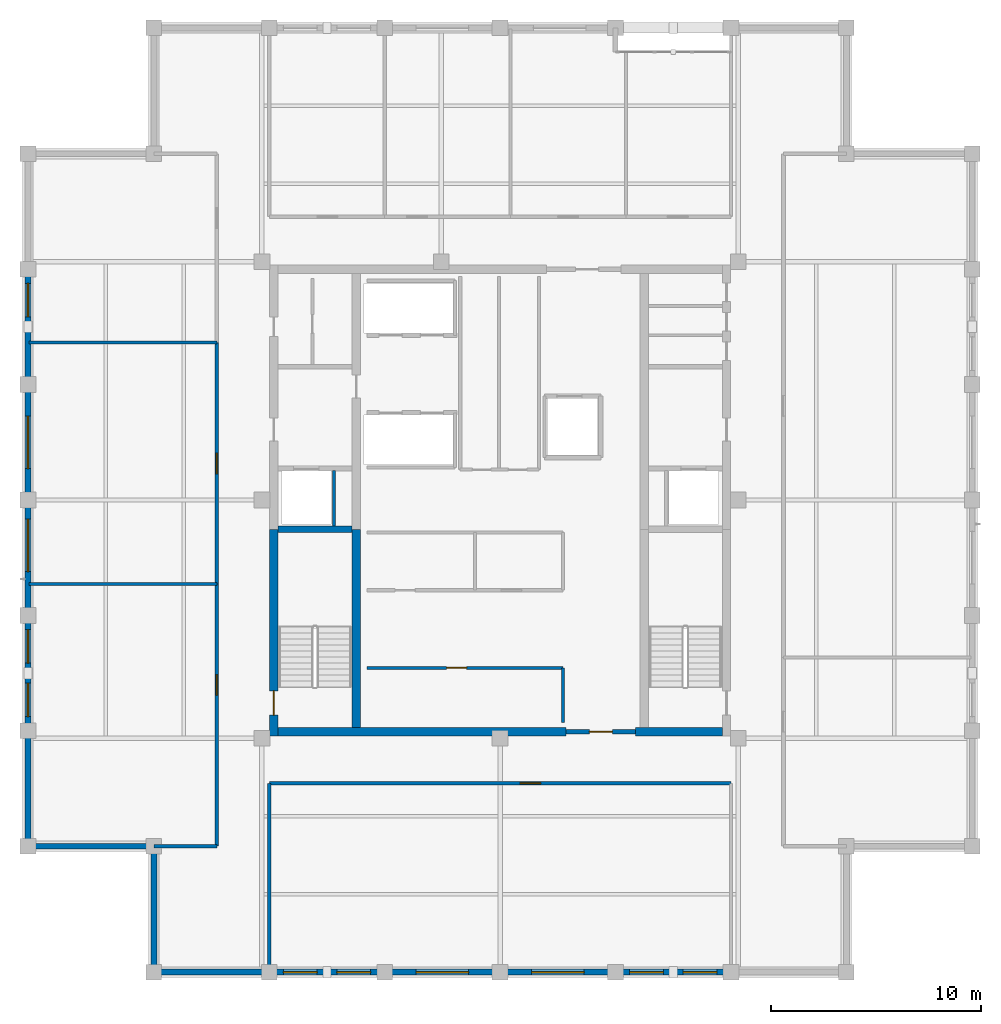
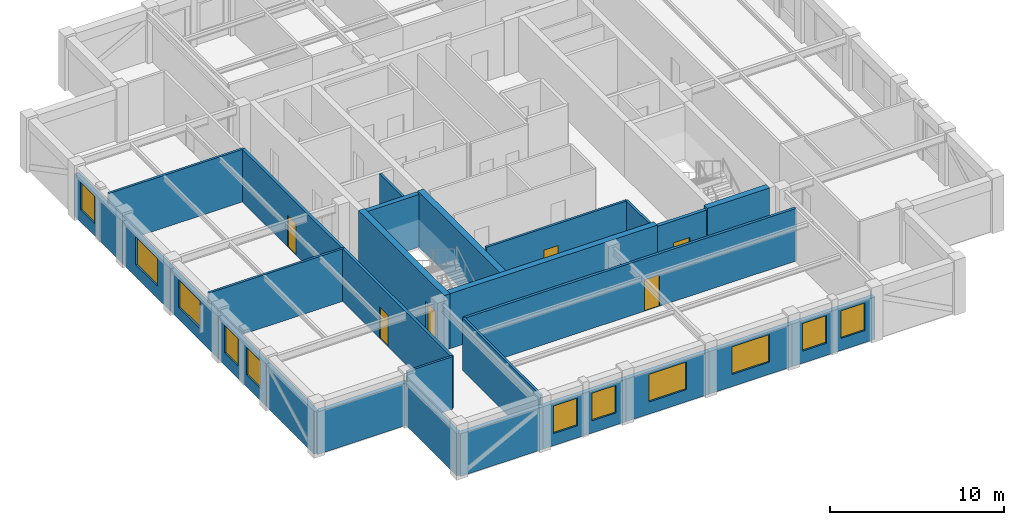
# One storey, part 6 of 10: 28 walls, 11 windows, 6 doors, 17 openings.
"""IFC4 building model written with IfcOpenShell, lengths in metres."""

from ifc_helpers import new_model, si_unit, direction, frame, frame_2d, origin, place, context, subcontext, project, spatial, rectangle, extrude, material, layer, layer_set, type_object, element, fill, save


model = new_model("IFC4")

# Units and contexts
model_context = context("Model", 3, precision=1e-05, world=origin(), true_north=direction((0.0, 1.0)))
body_context = subcontext(model_context, "Body", "Model", "MODEL_VIEW")
ifc_project = project(units=[si_unit("LENGTHUNIT", "METRE"), si_unit("AREAUNIT", "SQUARE_METRE"), si_unit("VOLUMEUNIT", "CUBIC_METRE"), si_unit("PLANEANGLEUNIT", "RADIAN"), si_unit("MASSUNIT", "GRAM", prefix="KILO")], contexts=[model_context])

# Site, building, storey
site_placement = place(None, origin())
site = spatial("IfcSite", under=ifc_project, at=site_placement, CompositionType="ELEMENT")
building_placement = place(site_placement, origin())
building = spatial("IfcBuilding", under=site, at=building_placement, Name="Nhamokura Convention Tower", CompositionType="ELEMENT")
storey_placement = place(building_placement, frame((0.0, 0.0, 277.550048828125)))
storey = spatial("IfcBuildingStorey", under=building, at=storey_placement, Name="L68", CompositionType="ELEMENT", Elevation=277.550048828125)

# Wall
ifc_material_1 = material(Name="Bronze-pigmented precast concrete C45/55", Category="concrete")
ifc_layer_1 = layer(ifc_material_1, 0.280029296875)
ifc_layer_set_1 = layer_set([ifc_layer_1], Name="BronzePrecastSpandrel_280")
wall_type_1 = type_object("IfcWallType", Name="BronzePrecastSpandrel_280", PredefinedType="USERDEFINED", material=ifc_layer_set_1)
wall_1_placement = place(storey_placement, frame((21.0, 9.5, 0.0), z_axis=(0.0, 0.0, 1.0), x_axis=(-1.0, 0.0, 0.0)))
element("IfcWall", 1, at=wall_1_placement, inside=storey, type_object=wall_type_1, Name="L68 Braced-Bay Precast Wall SOUTH 0", ObjectType="SPANDREL_WALL", PredefinedType="USERDEFINED", context=body_context, shape_type="SweptSolid", body=[
    extrude(rectangle(XDim=5.5, YDim=0.280029296875, at=frame_2d((2.75, 0.0))), origin(), (0.0, 0.0, 1.0), 2.98486328125),
])

# Wall, openings, windows
wall_2_placement = place(storey_placement, frame((26.5, 9.5, 0.0), z_axis=(0.0, 0.0, 1.0), x_axis=(-1.0, 0.0, 0.0)))
wall_2 = element("IfcWall", 2, at=wall_2_placement, inside=storey, type_object=wall_type_1, Name="L68 Masonry-Frame Wall SOUTH 1", ObjectType="SPANDREL_WALL", PredefinedType="USERDEFINED", context=body_context, shape_type="SweptSolid", body=[
    extrude(rectangle(XDim=5.5, YDim=0.280029296875, at=frame_2d((2.75, 0.0))), origin(), (0.0, 0.0, 1.0), 2.98486328125),
])
opening_1_placement = place(wall_2_placement, frame((0.675048828125, 0.0, 0.85009765625)))
opening_1 = element("IfcOpeningElement", 3, at=opening_1_placement, cuts=wall_2, Name="Opening W-11", PredefinedType="OPENING", context=body_context, shape_type="SweptSolid", body=[
    extrude(rectangle(XDim=1.60009765625, YDim=1.93505859375, at=frame_2d((0.800048828125, 0.967529296875))), frame((0.0, 0.14990234375, 0.0), z_axis=(0.0, -1.0, 0.0), x_axis=(1.0, 0.0, 0.0)), (0.0, 0.0, 1.0), 0.300048828125),
])
opening_2_placement = place(wall_2_placement, frame((3.22509765625, 0.0, 0.85009765625)))
opening_2 = element("IfcOpeningElement", 4, at=opening_2_placement, cuts=wall_2, Name="Opening W-11", PredefinedType="OPENING", context=body_context, shape_type="SweptSolid", body=[
    extrude(rectangle(XDim=1.60009765625, YDim=1.93505859375, at=frame_2d((0.800048828125, 0.967529296875))), frame((0.0, 0.14990234375, 0.0), z_axis=(0.0, -1.0, 0.0), x_axis=(1.0, 0.0, 0.0)), (0.0, 0.0, 1.0), 0.300048828125),
])
ifc_material_2 = material(Name="Solar-control bronze low-E double glass", Category="glass")
window_type_1 = type_object("IfcWindowType", Name="NotchCornerWindow_1600", PartitioningType="SINGLE_PANEL", PredefinedType="WINDOW", material=ifc_material_2)
window_1_placement = place(opening_1_placement, origin())
window_1 = element("IfcWindow", 5, at=window_1_placement, inside=storey, type_object=window_type_1, Name="L68 Facade Window SOUTH 1-1", OverallHeight=1.93505859375, OverallWidth=1.60009765625, PartitioningType="SINGLE_PANEL", PredefinedType="WINDOW", context=body_context, shape_type="SweptSolid", body=[
    extrude(rectangle(XDim=1.60009765625, YDim=1.93505859375, at=frame_2d((0.800048828125, 0.967529296875))), frame((0.0, 0.030029296875, 0.0), z_axis=(0.0, -1.0, 0.0), x_axis=(1.0, 0.0, 0.0)), (0.0, 0.0, 1.0), 0.06005859375),
])
fill(opening_1, window_1)
window_2_placement = place(opening_2_placement, origin())
window_2 = element("IfcWindow", 6, at=window_2_placement, inside=storey, type_object=window_type_1, Name="L68 Facade Window SOUTH 1-2", OverallHeight=1.93505859375, OverallWidth=1.60009765625, PartitioningType="SINGLE_PANEL", PredefinedType="WINDOW", context=body_context, shape_type="SweptSolid", body=[
    extrude(rectangle(XDim=1.60009765625, YDim=1.93505859375, at=frame_2d((0.800048828125, 0.967529296875))), frame((0.0, 0.030029296875, 0.0), z_axis=(0.0, -1.0, 0.0), x_axis=(1.0, 0.0, 0.0)), (0.0, 0.0, 1.0), 0.06005859375),
])
fill(opening_2, window_2)

# Wall, opening, window
wall_3_placement = place(storey_placement, frame((32.0, 9.5, 0.0), z_axis=(0.0, 0.0, 1.0), x_axis=(-1.0, 0.0, 0.0)))
wall_3 = element("IfcWall", 7, at=wall_3_placement, inside=storey, type_object=wall_type_1, Name="L68 Masonry-Frame Wall SOUTH 2", ObjectType="SPANDREL_WALL", PredefinedType="USERDEFINED", context=body_context, shape_type="SweptSolid", body=[
    extrude(rectangle(XDim=5.5, YDim=0.280029296875, at=frame_2d((2.75, 0.0))), origin(), (0.0, 0.0, 1.0), 2.98486328125),
])
opening_3_placement = place(wall_3_placement, frame((1.5, 0.0, 0.85009765625)))
opening_3 = element("IfcOpeningElement", 8, at=opening_3_placement, cuts=wall_3, Name="Opening W-09", PredefinedType="OPENING", context=body_context, shape_type="SweptSolid", body=[
    extrude(rectangle(XDim=2.5, YDim=1.93505859375, at=frame_2d((1.25, 0.967529296875))), frame((0.0, 0.14990234375, 0.0), z_axis=(0.0, -1.0, 0.0), x_axis=(1.0, 0.0, 0.0)), (0.0, 0.0, 1.0), 0.300048828125),
])
ifc_material_3 = material(Name="Solar-control bronze low-E double glass", Category="glass")
window_type_2 = type_object("IfcWindowType", Name="SummitWindow_Z4_2500", PartitioningType="DOUBLE_PANEL_VERTICAL", PredefinedType="WINDOW", material=ifc_material_3)
window_3_placement = place(opening_3_placement, origin())
window_3 = element("IfcWindow", 9, at=window_3_placement, inside=storey, type_object=window_type_2, Name="L68 Facade Window SOUTH 2", OverallHeight=1.93505859375, OverallWidth=2.5, PartitioningType="SINGLE_PANEL", PredefinedType="WINDOW", context=body_context, shape_type="SweptSolid", body=[
    extrude(rectangle(XDim=2.5, YDim=1.93505859375, at=frame_2d((1.25, 0.967529296875))), frame((0.0, 0.030029296875, 0.0), z_axis=(0.0, -1.0, 0.0), x_axis=(1.0, 0.0, 0.0)), (0.0, 0.0, 1.0), 0.06005859375),
])
fill(opening_3, window_3)

wall_4_placement = place(storey_placement, frame((37.5, 9.5, 0.0), z_axis=(0.0, 0.0, 1.0), x_axis=(-1.0, 0.0, 0.0)))
wall_4 = element("IfcWall", 10, at=wall_4_placement, inside=storey, type_object=wall_type_1, Name="L68 Masonry-Frame Wall SOUTH 3", ObjectType="SPANDREL_WALL", PredefinedType="USERDEFINED", context=body_context, shape_type="SweptSolid", body=[
    extrude(rectangle(XDim=5.5, YDim=0.280029296875, at=frame_2d((2.75, 0.0))), origin(), (0.0, 0.0, 1.0), 2.98486328125),
])
opening_4_placement = place(wall_4_placement, frame((1.5, 0.0, 0.85009765625)))
opening_4 = element("IfcOpeningElement", 11, at=opening_4_placement, cuts=wall_4, Name="Opening W-09", PredefinedType="OPENING", context=body_context, shape_type="SweptSolid", body=[
    extrude(rectangle(XDim=2.5, YDim=1.93505859375, at=frame_2d((1.25, 0.967529296875))), frame((0.0, 0.14990234375, 0.0), z_axis=(0.0, -1.0, 0.0), x_axis=(1.0, 0.0, 0.0)), (0.0, 0.0, 1.0), 0.300048828125),
])
window_4_placement = place(opening_4_placement, origin())
window_4 = element("IfcWindow", 12, at=window_4_placement, inside=storey, type_object=window_type_2, Name="L68 Facade Window SOUTH 3", OverallHeight=1.93505859375, OverallWidth=2.5, PartitioningType="SINGLE_PANEL", PredefinedType="WINDOW", context=body_context, shape_type="SweptSolid", body=[
    extrude(rectangle(XDim=2.5, YDim=1.93505859375, at=frame_2d((1.25, 0.967529296875))), frame((0.0, 0.030029296875, 0.0), z_axis=(0.0, -1.0, 0.0), x_axis=(1.0, 0.0, 0.0)), (0.0, 0.0, 1.0), 0.06005859375),
])
fill(opening_4, window_4)

# Wall, openings, windows
wall_5_placement = place(storey_placement, frame((43.0, 9.5, 0.0), z_axis=(0.0, 0.0, 1.0), x_axis=(-1.0, 0.0, 0.0)))
wall_5 = element("IfcWall", 13, at=wall_5_placement, inside=storey, type_object=wall_type_1, Name="L68 Masonry-Frame Wall SOUTH 4", ObjectType="SPANDREL_WALL", PredefinedType="USERDEFINED", context=body_context, shape_type="SweptSolid", body=[
    extrude(rectangle(XDim=5.5, YDim=0.280029296875, at=frame_2d((2.75, 0.0))), origin(), (0.0, 0.0, 1.0), 2.98486328125),
])
opening_5_placement = place(wall_5_placement, frame((0.675048828125, 0.0, 0.85009765625)))
opening_5 = element("IfcOpeningElement", 14, at=opening_5_placement, cuts=wall_5, Name="Opening W-11", PredefinedType="OPENING", context=body_context, shape_type="SweptSolid", body=[
    extrude(rectangle(XDim=1.60009765625, YDim=1.93505859375, at=frame_2d((0.800048828125, 0.967529296875))), frame((0.0, 0.14990234375, 0.0), z_axis=(0.0, -1.0, 0.0), x_axis=(1.0, 0.0, 0.0)), (0.0, 0.0, 1.0), 0.300048828125),
])
opening_6_placement = place(wall_5_placement, frame((3.22509765625, 0.0, 0.85009765625)))
opening_6 = element("IfcOpeningElement", 15, at=opening_6_placement, cuts=wall_5, Name="Opening W-11", PredefinedType="OPENING", context=body_context, shape_type="SweptSolid", body=[
    extrude(rectangle(XDim=1.60009765625, YDim=1.93505859375, at=frame_2d((0.800048828125, 0.967529296875))), frame((0.0, 0.14990234375, 0.0), z_axis=(0.0, -1.0, 0.0), x_axis=(1.0, 0.0, 0.0)), (0.0, 0.0, 1.0), 0.300048828125),
])
window_5_placement = place(opening_5_placement, origin())
window_5 = element("IfcWindow", 16, at=window_5_placement, inside=storey, type_object=window_type_1, Name="L68 Facade Window SOUTH 4-1", OverallHeight=1.93505859375, OverallWidth=1.60009765625, PartitioningType="SINGLE_PANEL", PredefinedType="WINDOW", context=body_context, shape_type="SweptSolid", body=[
    extrude(rectangle(XDim=1.60009765625, YDim=1.93505859375, at=frame_2d((0.800048828125, 0.967529296875))), frame((0.0, 0.030029296875, 0.0), z_axis=(0.0, -1.0, 0.0), x_axis=(1.0, 0.0, 0.0)), (0.0, 0.0, 1.0), 0.06005859375),
])
fill(opening_5, window_5)
window_6_placement = place(opening_6_placement, origin())
window_6 = element("IfcWindow", 17, at=window_6_placement, inside=storey, type_object=window_type_1, Name="L68 Facade Window SOUTH 4-2", OverallHeight=1.93505859375, OverallWidth=1.60009765625, PartitioningType="SINGLE_PANEL", PredefinedType="WINDOW", context=body_context, shape_type="SweptSolid", body=[
    extrude(rectangle(XDim=1.60009765625, YDim=1.93505859375, at=frame_2d((0.800048828125, 0.967529296875))), frame((0.0, 0.030029296875, 0.0), z_axis=(0.0, -1.0, 0.0), x_axis=(1.0, 0.0, 0.0)), (0.0, 0.0, 1.0), 0.06005859375),
])
fill(opening_6, window_6)

# Wall
wall_6_placement = place(storey_placement, frame((9.5, 15.5, 0.0), z_axis=(0.0, 0.0, 1.0), x_axis=(0.0, 1.0, 0.0)))
element("IfcWall", 18, at=wall_6_placement, inside=storey, type_object=wall_type_1, Name="L68 Braced-Bay Precast Wall WEST 0", ObjectType="SPANDREL_WALL", PredefinedType="USERDEFINED", context=body_context, shape_type="SweptSolid", body=[
    extrude(rectangle(XDim=5.5, YDim=0.280029296875, at=frame_2d((2.75, 0.0))), origin(), (0.0, 0.0, 1.0), 2.98486328125),
])

# Wall, openings, windows
wall_7_placement = place(storey_placement, frame((9.5, 21.0, 0.0), z_axis=(0.0, 0.0, 1.0), x_axis=(0.0, 1.0, 0.0)))
wall_7 = element("IfcWall", 19, at=wall_7_placement, inside=storey, type_object=wall_type_1, Name="L68 Masonry-Frame Wall WEST 1", ObjectType="SPANDREL_WALL", PredefinedType="USERDEFINED", context=body_context, shape_type="SweptSolid", body=[
    extrude(rectangle(XDim=5.5, YDim=0.280029296875, at=frame_2d((2.75, 0.0))), origin(), (0.0, 0.0, 1.0), 2.98486328125),
])
opening_7_placement = place(wall_7_placement, frame((0.675048828125, 0.0, 0.85009765625)))
opening_7 = element("IfcOpeningElement", 20, at=opening_7_placement, cuts=wall_7, Name="Opening W-11", PredefinedType="OPENING", context=body_context, shape_type="SweptSolid", body=[
    extrude(rectangle(XDim=1.60009765625, YDim=1.93505859375, at=frame_2d((0.800048828125, 0.967529296875))), frame((0.0, 0.14990234375, 0.0), z_axis=(0.0, -1.0, 0.0), x_axis=(1.0, 0.0, 0.0)), (0.0, 0.0, 1.0), 0.300048828125),
])
opening_8_placement = place(wall_7_placement, frame((3.22509765625, 0.0, 0.85009765625)))
opening_8 = element("IfcOpeningElement", 21, at=opening_8_placement, cuts=wall_7, Name="Opening W-11", PredefinedType="OPENING", context=body_context, shape_type="SweptSolid", body=[
    extrude(rectangle(XDim=1.60009765625, YDim=1.93505859375, at=frame_2d((0.800048828125, 0.967529296875))), frame((0.0, 0.14990234375, 0.0), z_axis=(0.0, -1.0, 0.0), x_axis=(1.0, 0.0, 0.0)), (0.0, 0.0, 1.0), 0.300048828125),
])
window_7_placement = place(opening_7_placement, origin())
window_7 = element("IfcWindow", 22, at=window_7_placement, inside=storey, type_object=window_type_1, Name="L68 Facade Window WEST 1-1", OverallHeight=1.93505859375, OverallWidth=1.60009765625, PartitioningType="SINGLE_PANEL", PredefinedType="WINDOW", context=body_context, shape_type="SweptSolid", body=[
    extrude(rectangle(XDim=1.60009765625, YDim=1.93505859375, at=frame_2d((0.800048828125, 0.967529296875))), frame((0.0, 0.030029296875, 0.0), z_axis=(0.0, -1.0, 0.0), x_axis=(1.0, 0.0, 0.0)), (0.0, 0.0, 1.0), 0.06005859375),
])
fill(opening_7, window_7)
window_8_placement = place(opening_8_placement, origin())
window_8 = element("IfcWindow", 23, at=window_8_placement, inside=storey, type_object=window_type_1, Name="L68 Facade Window WEST 1-2", OverallHeight=1.93505859375, OverallWidth=1.60009765625, PartitioningType="SINGLE_PANEL", PredefinedType="WINDOW", context=body_context, shape_type="SweptSolid", body=[
    extrude(rectangle(XDim=1.60009765625, YDim=1.93505859375, at=frame_2d((0.800048828125, 0.967529296875))), frame((0.0, 0.030029296875, 0.0), z_axis=(0.0, -1.0, 0.0), x_axis=(1.0, 0.0, 0.0)), (0.0, 0.0, 1.0), 0.06005859375),
])
fill(opening_8, window_8)

# Wall, opening, window
wall_8_placement = place(storey_placement, frame((9.5, 26.5, 0.0), z_axis=(0.0, 0.0, 1.0), x_axis=(0.0, 1.0, 0.0)))
wall_8 = element("IfcWall", 24, at=wall_8_placement, inside=storey, type_object=wall_type_1, Name="L68 Masonry-Frame Wall WEST 2", ObjectType="SPANDREL_WALL", PredefinedType="USERDEFINED", context=body_context, shape_type="SweptSolid", body=[
    extrude(rectangle(XDim=5.5, YDim=0.280029296875, at=frame_2d((2.75, 0.0))), origin(), (0.0, 0.0, 1.0), 2.98486328125),
])
opening_9_placement = place(wall_8_placement, frame((2.08740234375, 0.0, 0.85009765625)))
opening_9 = element("IfcOpeningElement", 25, at=opening_9_placement, cuts=wall_8, Name="Opening W-09", PredefinedType="OPENING", context=body_context, shape_type="SweptSolid", body=[
    extrude(rectangle(XDim=2.5, YDim=1.93505859375, at=frame_2d((1.25, 0.967529296875))), frame((0.0, 0.14990234375, 0.0), z_axis=(0.0, -1.0, 0.0), x_axis=(1.0, 0.0, 0.0)), (0.0, 0.0, 1.0), 0.300048828125),
])
window_9_placement = place(opening_9_placement, origin())
window_9 = element("IfcWindow", 26, at=window_9_placement, inside=storey, type_object=window_type_2, Name="L68 Facade Window WEST 2-2", OverallHeight=1.93505859375, OverallWidth=2.5, PartitioningType="SINGLE_PANEL", PredefinedType="WINDOW", context=body_context, shape_type="SweptSolid", body=[
    extrude(rectangle(XDim=2.5, YDim=1.93505859375, at=frame_2d((1.25, 0.967529296875))), frame((0.0, 0.030029296875, 0.0), z_axis=(0.0, -1.0, 0.0), x_axis=(1.0, 0.0, 0.0)), (0.0, 0.0, 1.0), 0.06005859375),
])
fill(opening_9, window_9)

wall_9_placement = place(storey_placement, frame((9.5, 32.0, 0.0), z_axis=(0.0, 0.0, 1.0), x_axis=(0.0, 1.0, 0.0)))
wall_9 = element("IfcWall", 27, at=wall_9_placement, inside=storey, type_object=wall_type_1, Name="L68 Masonry-Frame Wall WEST 3", ObjectType="SPANDREL_WALL", PredefinedType="USERDEFINED", context=body_context, shape_type="SweptSolid", body=[
    extrude(rectangle(XDim=5.5, YDim=0.280029296875, at=frame_2d((2.75, 0.0))), origin(), (0.0, 0.0, 1.0), 2.98486328125),
])
opening_10_placement = place(wall_9_placement, frame((1.5, 0.0, 0.85009765625)))
opening_10 = element("IfcOpeningElement", 28, at=opening_10_placement, cuts=wall_9, Name="Opening W-09", PredefinedType="OPENING", context=body_context, shape_type="SweptSolid", body=[
    extrude(rectangle(XDim=2.5, YDim=1.93505859375, at=frame_2d((1.25, 0.967529296875))), frame((0.0, 0.14990234375, 0.0), z_axis=(0.0, -1.0, 0.0), x_axis=(1.0, 0.0, 0.0)), (0.0, 0.0, 1.0), 0.300048828125),
])
window_10_placement = place(opening_10_placement, origin())
window_10 = element("IfcWindow", 29, at=window_10_placement, inside=storey, type_object=window_type_2, Name="L68 Facade Window WEST 3", OverallHeight=1.93505859375, OverallWidth=2.5, PartitioningType="SINGLE_PANEL", PredefinedType="WINDOW", context=body_context, shape_type="SweptSolid", body=[
    extrude(rectangle(XDim=2.5, YDim=1.93505859375, at=frame_2d((1.25, 0.967529296875))), frame((0.0, 0.030029296875, 0.0), z_axis=(0.0, -1.0, 0.0), x_axis=(1.0, 0.0, 0.0)), (0.0, 0.0, 1.0), 0.06005859375),
])
fill(opening_10, window_10)

wall_10_placement = place(storey_placement, frame((9.5, 37.5, 0.0), z_axis=(0.0, 0.0, 1.0), x_axis=(0.0, 1.0, 0.0)))
wall_10 = element("IfcWall", 30, at=wall_10_placement, inside=storey, type_object=wall_type_1, Name="L68 Masonry-Frame Wall WEST 4", ObjectType="SPANDREL_WALL", PredefinedType="USERDEFINED", context=body_context, shape_type="SweptSolid", body=[
    extrude(rectangle(XDim=5.5, YDim=0.280029296875, at=frame_2d((2.75, 0.0))), origin(), (0.0, 0.0, 1.0), 2.98486328125),
])
opening_11_placement = place(wall_10_placement, frame((3.22509765625, 0.0, 0.85009765625)))
opening_11 = element("IfcOpeningElement", 31, at=opening_11_placement, cuts=wall_10, Name="Opening W-11", PredefinedType="OPENING", context=body_context, shape_type="SweptSolid", body=[
    extrude(rectangle(XDim=1.60009765625, YDim=1.93505859375, at=frame_2d((0.800048828125, 0.967529296875))), frame((0.0, 0.14990234375, 0.0), z_axis=(0.0, -1.0, 0.0), x_axis=(1.0, 0.0, 0.0)), (0.0, 0.0, 1.0), 0.300048828125),
])
window_11_placement = place(opening_11_placement, origin())
window_11 = element("IfcWindow", 32, at=window_11_placement, inside=storey, type_object=window_type_1, Name="L68 Facade Window WEST 4-2", OverallHeight=1.93505859375, OverallWidth=1.60009765625, PartitioningType="SINGLE_PANEL", PredefinedType="WINDOW", context=body_context, shape_type="SweptSolid", body=[
    extrude(rectangle(XDim=1.60009765625, YDim=1.93505859375, at=frame_2d((0.800048828125, 0.967529296875))), frame((0.0, 0.030029296875, 0.0), z_axis=(0.0, -1.0, 0.0), x_axis=(1.0, 0.0, 0.0)), (0.0, 0.0, 1.0), 0.06005859375),
])
fill(opening_11, window_11)

# Walls
for number, where, z_axis, x_axis, name in (
    (33, (15.5, 9.5, 0.0), (0.0, 0.0, 1.0), (0.0, 1.0, 0.0), "L68 Notched Corner Wall SW1"),
    (34, (15.5, 15.5, 0.0), (0.0, 0.0, 1.0), (-1.0, 0.0, 0.0), "L68 Notched Corner Wall SW2"),
):
    element("IfcWall", number, at=place(storey_placement, frame(where, z_axis=z_axis, x_axis=x_axis)), inside=storey, type_object=wall_type_1, Name=name, ObjectType="SPANDREL_WALL", PredefinedType="USERDEFINED", context=body_context, shape_type="SweptSolid", body=[
        extrude(rectangle(XDim=6.0, YDim=0.280029296875, at=frame_2d((3.0, 0.0))), origin(), (0.0, 0.0, 1.0), 2.98486328125),
    ])

# Wall, opening, door
ifc_material_4 = material(Name="Concrete C50/60", Category="concrete")
ifc_layer_2 = layer(ifc_material_4, 0.39990234375)
ifc_layer_set_2 = layer_set([ifc_layer_2], Name="CoreShearWall_400")
wall_type_2 = type_object("IfcWallType", Name="CoreShearWall_400", PredefinedType="SHEAR", material=ifc_layer_set_2)
wall_11_placement = place(storey_placement, frame((21.2099609375, 20.75, 0.0), z_axis=(0.0, 0.0, 1.0), x_axis=(0.0, 1.0, 0.0)))
wall_11 = element("IfcWall", 35, at=wall_11_placement, inside=storey, type_object=wall_type_2, Name="L68 Core Shear Wall CW-WS", PredefinedType="SHEAR", context=body_context, shape_type="SweptSolid", body=[
    extrude(rectangle(XDim=9.85009765625, YDim=0.39990234375, at=frame_2d((4.925048828125, 0.0))), origin(), (0.0, 0.0, 1.0), 3.849853515625),
])
opening_12_placement = place(wall_11_placement, frame((1.0, 0.0, 0.0)))
opening_12 = element("IfcOpeningElement", 36, at=opening_12_placement, cuts=wall_11, Name="Opening D-04", PredefinedType="OPENING", context=body_context, shape_type="SweptSolid", body=[
    extrude(rectangle(XDim=1.14990234375, YDim=2.14990234375, at=frame_2d((0.574951171875, 1.074951171875))), frame((0.0, 0.2099609375, 0.0), z_axis=(0.0, -1.0, 0.0), x_axis=(1.0, 0.0, 0.0)), (0.0, 0.0, 1.0), 0.419921875),
])
ifc_material_5 = material(Name="Fire-rated steel door", Category="steel")
door_type_1 = type_object("IfcDoorType", Name="StairSmokeDoor_1150", OperationType="NOTDEFINED", PredefinedType="DOOR", material=ifc_material_5)
door_1_placement = place(opening_12_placement, origin())
door_1 = element("IfcDoor", 37, at=door_1_placement, inside=storey, type_object=door_type_1, Name="L68 Core Door INT-L68-D-ST01", OperationType="SINGLE_SWING_LEFT", OverallHeight=2.14990234375, OverallWidth=1.14990234375, PredefinedType="DOOR", context=body_context, shape_type="SweptSolid", body=[
    extrude(rectangle(XDim=1.14990234375, YDim=2.14990234375, at=frame_2d((0.574951171875, 1.074951171875))), frame((0.0, 0.02490234375, 0.0), z_axis=(0.0, -1.0, 0.0), x_axis=(1.0, 0.0, 0.0)), (0.0, 0.0, 1.0), 0.050048828125),
])
fill(opening_12, door_1)

# Walls
wall_12_placement = place(storey_placement, frame((21.409912109375, 20.949951171875, 0.0), z_axis=(0.0, 0.0, 1.0), x_axis=(1.0, 0.0, 0.0)))
element("IfcWall", 38, at=wall_12_placement, inside=storey, type_object=wall_type_2, Name="L68 Core Shear Wall CW-S1", PredefinedType="SHEAR", context=body_context, shape_type="SweptSolid", body=[
    extrude(rectangle(XDim=13.739990234375, YDim=0.39990234375, at=frame_2d((6.8701171875, 0.0))), origin(), (0.0, 0.0, 1.0), 3.849853515625),
])
wall_13_placement = place(storey_placement, frame((38.449951171875, 20.949951171875, 0.0), z_axis=(0.0, 0.0, 1.0), x_axis=(1.0, 0.0, 0.0)))
element("IfcWall", 39, at=wall_13_placement, inside=storey, type_object=wall_type_2, Name="L68 Core Shear Wall CW-S2", PredefinedType="SHEAR", context=body_context, shape_type="SweptSolid", body=[
    extrude(rectangle(XDim=4.14013671875, YDim=0.39990234375, at=frame_2d((2.070068359375, 0.0))), origin(), (0.0, 0.0, 1.0), 3.849853515625),
])
wall_14_placement = place(storey_placement, frame((25.139892578125, 21.14990234375, 0.0), z_axis=(0.0, 0.0, 1.0), x_axis=(0.0, 1.0, 0.0)))
element("IfcWall", 40, at=wall_14_placement, inside=storey, type_object=wall_type_2, Name="L68 Core Shear Wall CW-IWS", PredefinedType="SHEAR", context=body_context, shape_type="SweptSolid", body=[
    extrude(rectangle(XDim=9.4501953125, YDim=0.39990234375, at=frame_2d((4.72509765625, 0.0))), origin(), (0.0, 0.0, 1.0), 3.849853515625),
])

# Wall, opening, door
ifc_material_6 = material(Name="Fire-rated gypsum and masonry partition", Category="masonry")
ifc_layer_3 = layer(ifc_material_6, 0.179931640625)
ifc_layer_set_3 = layer_set([ifc_layer_3], Name="CorridorRatedWall_180")
wall_type_3 = type_object("IfcWallType", Name="CorridorRatedWall_180", PredefinedType="STANDARD", material=ifc_layer_set_3)
wall_15_placement = place(storey_placement, frame((21.0, 18.5, 0.0), z_axis=(0.0, 0.0, 1.0), x_axis=(1.0, 0.0, 0.0)))
wall_15 = element("IfcWall", 41, at=wall_15_placement, inside=storey, type_object=wall_type_3, Name="L68 Wall INT-L68-CW-S00", PredefinedType="STANDARD", context=body_context, shape_type="SweptSolid", body=[
    extrude(rectangle(XDim=22.0, YDim=0.179931640625, at=frame_2d((11.0, 0.0))), origin(), (0.0, 0.0, 1.0), 3.68505859375),
])
opening_13_placement = place(wall_15_placement, frame((11.949951171875, 0.0, 0.0)))
opening_13 = element("IfcOpeningElement", 42, at=opening_13_placement, cuts=wall_15, Name="Opening D-08", PredefinedType="OPENING", context=body_context, shape_type="SweptSolid", body=[
    extrude(rectangle(XDim=0.97998046875, YDim=2.199951171875, at=frame_2d((0.489990234375, 1.10009765625))), frame((0.0, 0.099853515625, 0.0), z_axis=(0.0, -1.0, 0.0), x_axis=(1.0, 0.0, 0.0)), (0.0, 0.0, 1.0), 0.199951171875),
])
ifc_material_7 = material(Name="Solid oak hardwood", Category="wood")
door_type_2 = type_object("IfcDoorType", Name="OfficeEntryDoor_980", OperationType="NOTDEFINED", PredefinedType="DOOR", material=ifc_material_7)
door_2_placement = place(opening_13_placement, origin())
door_2 = element("IfcDoor", 43, at=door_2_placement, inside=storey, type_object=door_type_2, Name="L68 Conference Hall S01 Door", OperationType="SINGLE_SWING_LEFT", OverallHeight=2.199951171875, OverallWidth=0.97998046875, PredefinedType="DOOR", context=body_context, shape_type="SweptSolid", body=[
    extrude(rectangle(XDim=0.97998046875, YDim=2.199951171875, at=frame_2d((0.489990234375, 1.10009765625))), frame((0.0, 0.02490234375, 0.0), z_axis=(0.0, -1.0, 0.0), x_axis=(1.0, 0.0, 0.0)), (0.0, 0.0, 1.0), 0.050048828125),
])
fill(opening_13, door_2)

wall_16_placement = place(storey_placement, frame((18.5, 15.5, 0.0), z_axis=(0.0, 0.0, 1.0), x_axis=(0.0, 1.0, 0.0)))
wall_16 = element("IfcWall", 44, at=wall_16_placement, inside=storey, type_object=wall_type_3, Name="L68 Wall INT-L68-CW-W00", PredefinedType="STANDARD", context=body_context, shape_type="SweptSolid", body=[
    extrude(rectangle(XDim=12.5, YDim=0.179931640625, at=frame_2d((6.25, 0.0))), origin(), (0.0, 0.0, 1.0), 3.68505859375),
])
opening_14_placement = place(wall_16_placement, frame((7.199951171875, 0.0, 0.0)))
opening_14 = element("IfcOpeningElement", 45, at=opening_14_placement, cuts=wall_16, Name="Opening D-08", PredefinedType="OPENING", context=body_context, shape_type="SweptSolid", body=[
    extrude(rectangle(XDim=0.97998046875, YDim=2.199951171875, at=frame_2d((0.489990234375, 1.10009765625))), frame((0.0, 0.099853515625, 0.0), z_axis=(0.0, -1.0, 0.0), x_axis=(1.0, 0.0, 0.0)), (0.0, 0.0, 1.0), 0.199951171875),
])
door_3_placement = place(opening_14_placement, origin())
door_3 = element("IfcDoor", 46, at=door_3_placement, inside=storey, type_object=door_type_2, Name="L68 VIP Lounge W01 Door", OperationType="SINGLE_SWING_LEFT", OverallHeight=2.199951171875, OverallWidth=0.97998046875, PredefinedType="DOOR", context=body_context, shape_type="SweptSolid", body=[
    extrude(rectangle(XDim=0.97998046875, YDim=2.199951171875, at=frame_2d((0.489990234375, 1.10009765625))), frame((0.0, 0.02490234375, 0.0), z_axis=(0.0, -1.0, 0.0), x_axis=(1.0, 0.0, 0.0)), (0.0, 0.0, 1.0), 0.050048828125),
])
fill(opening_14, door_3)

wall_17_placement = place(storey_placement, frame((18.5, 28.0, 0.0), z_axis=(0.0, 0.0, 1.0), x_axis=(0.0, 1.0, 0.0)))
wall_17 = element("IfcWall", 47, at=wall_17_placement, inside=storey, type_object=wall_type_3, Name="L68 Wall INT-L68-CW-W01", PredefinedType="STANDARD", context=body_context, shape_type="SweptSolid", body=[
    extrude(rectangle(XDim=11.5, YDim=0.179931640625, at=frame_2d((5.75, 0.0))), origin(), (0.0, 0.0, 1.0), 3.68505859375),
])
opening_15_placement = place(wall_17_placement, frame((5.25, 0.0, 0.0)))
opening_15 = element("IfcOpeningElement", 48, at=opening_15_placement, cuts=wall_17, Name="Opening D-08", PredefinedType="OPENING", context=body_context, shape_type="SweptSolid", body=[
    extrude(rectangle(XDim=0.97998046875, YDim=2.199951171875, at=frame_2d((0.489990234375, 1.10009765625))), frame((0.0, 0.099853515625, 0.0), z_axis=(0.0, -1.0, 0.0), x_axis=(1.0, 0.0, 0.0)), (0.0, 0.0, 1.0), 0.199951171875),
])
door_4_placement = place(opening_15_placement, origin())
door_4 = element("IfcDoor", 49, at=door_4_placement, inside=storey, type_object=door_type_2, Name="L68 Private Office W02 Door", OperationType="SINGLE_SWING_RIGHT", OverallHeight=2.199951171875, OverallWidth=0.97998046875, PredefinedType="DOOR", context=body_context, shape_type="SweptSolid", body=[
    extrude(rectangle(XDim=0.97998046875, YDim=2.199951171875, at=frame_2d((0.489990234375, 1.10009765625))), frame((0.0, 0.02490234375, 0.0), z_axis=(0.0, -1.0, 0.0), x_axis=(1.0, 0.0, 0.0)), (0.0, 0.0, 1.0), 0.050048828125),
])
fill(opening_15, door_4)

ifc_material_8 = material(Name="Autoclaved concrete blockwork", Category="masonry")
ifc_layer_4 = layer(ifc_material_8, 0.219970703125)
ifc_layer_set_4 = layer_set([ifc_layer_4], Name="FireLobbyWall_220")
wall_type_4 = type_object("IfcWallType", Name="FireLobbyWall_220", PredefinedType="STANDARD", material=ifc_layer_set_4)
wall_18_placement = place(storey_placement, frame((35.14990234375, 20.949951171875, 0.0), z_axis=(0.0, 0.0, 1.0), x_axis=(1.0, 0.0, 0.0)))
wall_18 = element("IfcWall", 50, at=wall_18_placement, inside=storey, type_object=wall_type_4, Name="L68 Wall INT-L68-SPORT-S", PredefinedType="STANDARD", context=body_context, shape_type="SweptSolid", body=[
    extrude(rectangle(XDim=3.300048828125, YDim=0.219970703125, at=frame_2d((1.64990234375, 0.0))), origin(), (0.0, 0.0, 1.0), 3.68505859375),
])
opening_16_placement = place(wall_18_placement, frame((1.10009765625, 0.0, 0.0)))
opening_16 = element("IfcOpeningElement", 51, at=opening_16_placement, cuts=wall_18, Name="Opening D-05", PredefinedType="OPENING", context=body_context, shape_type="SweptSolid", body=[
    extrude(rectangle(XDim=1.10009765625, YDim=2.14990234375, at=frame_2d((0.550048828125, 1.074951171875))), frame((0.0, 0.119873046875, 0.0), z_axis=(0.0, -1.0, 0.0), x_axis=(1.0, 0.0, 0.0)), (0.0, 0.0, 1.0), 0.239990234375),
])
ifc_material_9 = material(Name="Fire-rated steel door", Category="steel")
door_type_3 = type_object("IfcDoorType", Name="FireLobbyDoor_1100", OperationType="NOTDEFINED", PredefinedType="DOOR", material=ifc_material_9)
door_5_placement = place(opening_16_placement, origin())
door_5 = element("IfcDoor", 52, at=door_5_placement, inside=storey, type_object=door_type_3, Name="L68 South Core Lobby Portal Door", OperationType="SINGLE_SWING_LEFT", OverallHeight=2.14990234375, OverallWidth=1.10009765625, PredefinedType="DOOR", context=body_context, shape_type="SweptSolid", body=[
    extrude(rectangle(XDim=1.10009765625, YDim=2.14990234375, at=frame_2d((0.550048828125, 1.074951171875))), frame((0.0, 0.02490234375, 0.0), z_axis=(0.0, -1.0, 0.0), x_axis=(1.0, 0.0, 0.0)), (0.0, 0.0, 1.0), 0.050048828125),
])
fill(opening_16, door_5)

# Wall
ifc_material_10 = material(Name="Acoustic gypsum stud partition", Category="masonry")
ifc_layer_5 = layer(ifc_material_10, 0.14990234375)
ifc_layer_set_5 = layer_set([ifc_layer_5], Name="InteriorPartition_150")
wall_type_5 = type_object("IfcWallType", Name="InteriorPartition_150", PredefinedType="STANDARD", material=ifc_layer_set_5)
wall_19_placement = place(storey_placement, frame((24.080078125, 30.75, 0.0), z_axis=(0.0, 0.0, 1.0), x_axis=(0.0, 1.0, 0.0)))
element("IfcWall", 53, at=wall_19_placement, inside=storey, type_object=wall_type_5, Name="L68 Wall INT-L68-FF1-E", PredefinedType="STANDARD", context=body_context, shape_type="SweptSolid", body=[
    extrude(rectangle(XDim=2.64990234375, YDim=0.14990234375, at=frame_2d((1.324951171875, 0.0))), origin(), (0.0, 0.0, 1.0), 3.68505859375),
])

# Wall, opening, door
wall_20_placement = place(storey_placement, frame((25.64990234375, 24.0, 0.0), z_axis=(0.0, 0.0, 1.0), x_axis=(1.0, 0.0, 0.0)))
wall_20 = element("IfcWall", 54, at=wall_20_placement, inside=storey, type_object=wall_type_5, Name="L68 Wall INT-L68-B1R-N", PredefinedType="STANDARD", context=body_context, shape_type="SweptSolid", body=[
    extrude(rectangle(XDim=9.35009765625, YDim=0.14990234375, at=frame_2d((4.675048828125, 0.0))), origin(), (0.0, 0.0, 1.0), 3.68505859375),
])
opening_17_placement = place(wall_20_placement, frame((3.800048828125, 0.0, 0.0)))
opening_17 = element("IfcOpeningElement", 55, at=opening_17_placement, cuts=wall_20, Name="Opening D-09", PredefinedType="OPENING", context=body_context, shape_type="SweptSolid", body=[
    extrude(rectangle(XDim=0.949951171875, YDim=2.14990234375, at=frame_2d((0.47509765625, 1.074951171875))), frame((0.0, 0.0849609375, 0.0), z_axis=(0.0, -1.0, 0.0), x_axis=(1.0, 0.0, 0.0)), (0.0, 0.0, 1.0), 0.169921875),
])
ifc_material_11 = material(Name="Solid oak hardwood", Category="wood")
door_type_4 = type_object("IfcDoorType", Name="MeetingRoomDoor_950", OperationType="NOTDEFINED", PredefinedType="DOOR", material=ifc_material_11)
door_6_placement = place(opening_17_placement, origin())
door_6 = element("IfcDoor", 56, at=door_6_placement, inside=storey, type_object=door_type_4, Name="L68 Reclaimed Briefing Room Door", OperationType="SINGLE_SWING_LEFT", OverallHeight=2.14990234375, OverallWidth=0.949951171875, PredefinedType="DOOR", context=body_context, shape_type="SweptSolid", body=[
    extrude(rectangle(XDim=0.949951171875, YDim=2.14990234375, at=frame_2d((0.47509765625, 1.074951171875))), frame((0.0, 0.02490234375, 0.0), z_axis=(0.0, -1.0, 0.0), x_axis=(1.0, 0.0, 0.0)), (0.0, 0.0, 1.0), 0.050048828125),
])
fill(opening_17, door_6)

# Walls
wall_21_placement = place(storey_placement, frame((35.0, 21.39990234375, 0.0), z_axis=(0.0, 0.0, 1.0), x_axis=(0.0, 1.0, 0.0)))
element("IfcWall", 57, at=wall_21_placement, inside=storey, type_object=wall_type_5, Name="L68 Wall INT-L68-B1R-E", PredefinedType="STANDARD", context=body_context, shape_type="SweptSolid", body=[
    extrude(rectangle(XDim=2.60009765625, YDim=0.14990234375, at=frame_2d((1.300048828125, 0.0))), origin(), (0.0, 0.0, 1.0), 3.68505859375),
])
for number, where, z_axis, x_axis, name in (
    (58, (21.0, 9.56005859375, 0.0), (0.0, 0.0, 1.0), (0.0, 1.0, 0.0), "L68 Wall INT-L68-RWL-S"),
    (59, (9.56005859375, 28.0, 0.0), (0.0, 0.0, 1.0), (1.0, 0.0, 0.0), "L68 Wall INT-L68-RW-W01"),
    (60, (9.56005859375, 39.5, 0.0), (0.0, 0.0, 1.0), (1.0, 0.0, 0.0), "L68 Wall INT-L68-RW-W02"),
):
    element("IfcWall", number, at=place(storey_placement, frame(where, z_axis=z_axis, x_axis=x_axis)), inside=storey, type_object=wall_type_5, Name=name, PredefinedType="STANDARD", context=body_context, shape_type="SweptSolid", body=[
        extrude(rectangle(XDim=8.93994140625, YDim=0.14990234375, at=frame_2d((4.469970703125, 0.0))), origin(), (0.0, 0.0, 1.0), 3.68505859375),
    ])
wall_22_placement = place(storey_placement, frame((15.5, 15.5, 0.0), z_axis=(0.0, 0.0, 1.0), x_axis=(1.0, 0.0, 0.0)))
element("IfcWall", 61, at=wall_22_placement, inside=storey, type_object=wall_type_5, Name="L68 Wall INT-L68-VSTP-WS", PredefinedType="STANDARD", context=body_context, shape_type="SweptSolid", body=[
    extrude(rectangle(XDim=3.0, YDim=0.14990234375, at=frame_2d((1.5, 0.0))), origin(), (0.0, 0.0, 1.0), 3.68505859375),
])
ifc_material_12 = material(Name="Concrete C50/60", Category="concrete")
ifc_layer_6 = layer(ifc_material_12, 0.300048828125)
ifc_layer_set_6 = layer_set([ifc_layer_6], Name="ShaftEnclosureWall_300")
wall_type_6 = type_object("IfcWallType", Name="ShaftEnclosureWall_300", PredefinedType="SHEAR", material=ifc_layer_set_6)
wall_23_placement = place(storey_placement, frame((21.409912109375, 30.60009765625, 0.0), z_axis=(0.0, 0.0, 1.0), x_axis=(1.0, 0.0, 0.0)))
element("IfcWall", 62, at=wall_23_placement, inside=storey, type_object=wall_type_6, Name="L68 Wall INT-L68-ST01-N", PredefinedType="SHEAR", context=body_context, shape_type="SweptSolid", body=[
    extrude(rectangle(XDim=3.530029296875, YDim=0.300048828125, at=frame_2d((1.76513671875, 0.0))), origin(), (0.0, 0.0, 1.0), 3.68505859375),
])

save(model, "model.ifc")
